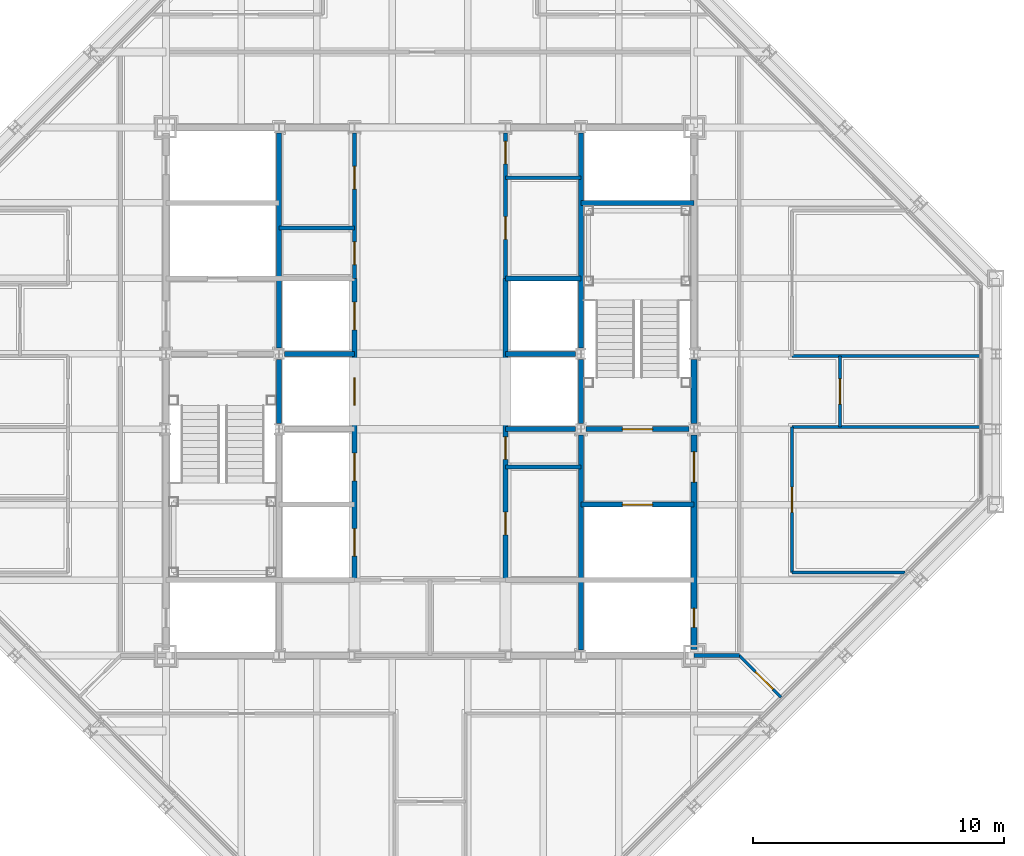
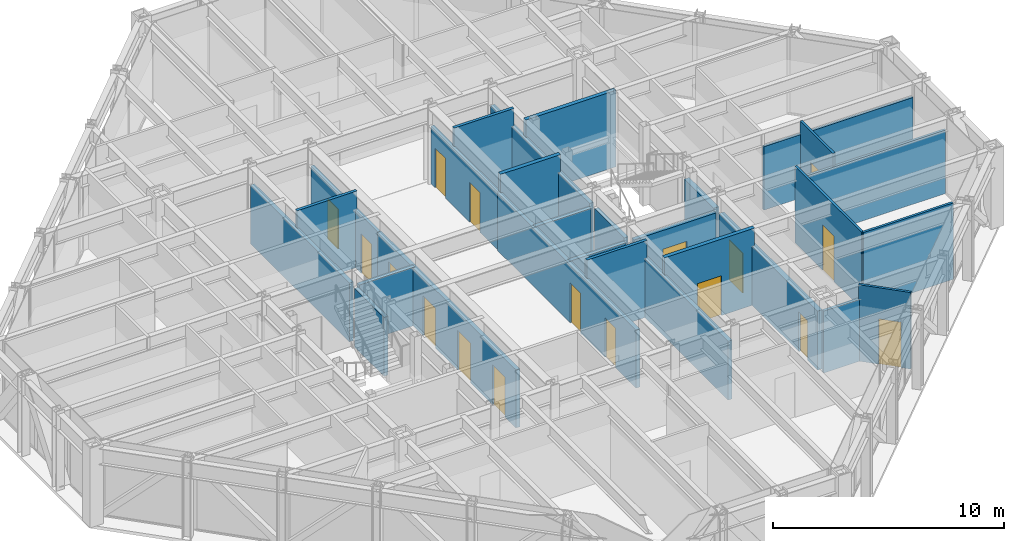
# One storey, part 11 of 15: 28 walls, 17 doors, 17 openings.
"""IFC4 building model written with IfcOpenShell, lengths in metres."""

from ifc_helpers import new_model, si_unit, direction, frame, frame_2d, origin, place, context, subcontext, project, spatial, rectangle, extrude, material, layer, layer_set, type_object, element, fill, save


model = new_model("IFC4")

# Units and contexts
model_context = context("Model", 3, precision=1e-05, world=origin(), true_north=direction((0.0, 1.0)))
body_context = subcontext(model_context, "Body", "Model", "MODEL_VIEW")
ifc_project = project(units=[si_unit("LENGTHUNIT", "METRE"), si_unit("AREAUNIT", "SQUARE_METRE"), si_unit("VOLUMEUNIT", "CUBIC_METRE"), si_unit("PLANEANGLEUNIT", "RADIAN"), si_unit("MASSUNIT", "GRAM", prefix="KILO")], contexts=[model_context])

# Site, building, storey
site_placement = place(None, origin())
site = spatial("IfcSite", under=ifc_project, at=site_placement, CompositionType="ELEMENT")
building_placement = place(site_placement, origin())
building = spatial("IfcBuilding", under=site, at=building_placement, Name="Chuquiago Exchange Tower", CompositionType="ELEMENT")
storey_placement = place(building_placement, frame((0.0, 0.0, 283.199951171875)))
storey = spatial("IfcBuildingStorey", under=building, at=storey_placement, Name="L63", CompositionType="ELEMENT", Elevation=283.199951171875)

# Wall, openings, doors
ifc_material_1 = material(Name="Concrete masonry, fully grouted", Category="masonry")
ifc_layer_1 = layer(ifc_material_1, 0.25)
ifc_layer_set_1 = layer_set([ifc_layer_1], Name="W1 core wall 250")
wall_type_1 = type_object("IfcWallType", Name="W1 core wall 250", PredefinedType="SOLIDWALL", material=ifc_layer_set_1)
wall_1_placement = place(storey_placement, frame((33.0, 12.25, 0.0), z_axis=(0.0, 0.0, 1.0), x_axis=(0.0, 1.0, 0.0)))
wall_1 = element("IfcWall", 1, at=wall_1_placement, inside=storey, type_object=wall_type_1, Name="CW-L63-25-0", PredefinedType="SOLIDWALL", context=body_context, shape_type="SweptSolid", body=[
    extrude(rectangle(XDim=8.527587890625, YDim=0.25, at=frame_2d((4.263671875, 0.0))), origin(), (0.0, 0.0, 1.0), 3.113037109375),
])
opening_1_placement = place(wall_1_placement, frame((6.64990234375, 0.0, 0.0)))
opening_1 = element("IfcOpeningElement", 2, at=opening_1_placement, cuts=wall_1, Name="Opening L63-004", PredefinedType="OPENING", context=body_context, shape_type="SweptSolid", body=[
    extrude(rectangle(XDim=1.199951171875, YDim=2.10009765625, at=frame_2d((0.60009765625, 1.050048828125))), frame((0.0, 0.135009765625, 0.0), z_axis=(0.0, -1.0, 0.0), x_axis=(1.0, 0.0, 0.0)), (0.0, 0.0, 1.0), 0.27001953125),
])
opening_2_placement = place(wall_1_placement, frame((0.875, 0.0, 0.0)))
opening_2 = element("IfcOpeningElement", 3, at=opening_2_placement, cuts=wall_1, Name="Opening L63-009", PredefinedType="OPENING", context=body_context, shape_type="SweptSolid", body=[
    extrude(rectangle(XDim=0.75, YDim=2.10009765625, at=frame_2d((0.375, 1.050048828125))), frame((0.0, 0.135009765625, 0.0), z_axis=(0.0, -1.0, 0.0), x_axis=(1.0, 0.0, 0.0)), (0.0, 0.0, 1.0), 0.27001953125),
])
ifc_material_2 = material(Name="Steel door, painted", Category="steel")
door_type_1 = type_object("IfcDoorType", Name="D5 firefighting lobby door 1200x2100", OperationType="SINGLE_SWING_LEFT", PredefinedType="DOOR", material=ifc_material_2)
door_1_placement = place(opening_1_placement, origin())
door_1 = element("IfcDoor", 4, at=door_1_placement, inside=storey, type_object=door_type_1, Name="Firefighting lobby 2 door", OperationType="SINGLE_SWING_RIGHT", OverallHeight=2.10009765625, OverallWidth=1.199951171875, PredefinedType="DOOR", context=body_context, shape_type="SweptSolid", body=[
    extrude(rectangle(XDim=1.199951171875, YDim=2.10009765625, at=frame_2d((0.60009765625, 1.050048828125))), frame((0.0, 0.02490234375, 0.0), z_axis=(0.0, -1.0, 0.0), x_axis=(1.0, 0.0, 0.0)), (0.0, 0.0, 1.0), 0.050048828125),
])
fill(opening_1, door_1)
ifc_material_3 = material(Name="Steel door, painted", Category="steel")
door_type_2 = type_object("IfcDoorType", Name="D6 riser access door 750x2100", OperationType="SINGLE_SWING_LEFT", PredefinedType="DOOR", material=ifc_material_3)
door_2_placement = place(opening_2_placement, origin())
door_2 = element("IfcDoor", 5, at=door_2_placement, inside=storey, type_object=door_type_2, Name="Riser RE1 door", OperationType="SINGLE_SWING_LEFT", OverallHeight=2.10009765625, OverallWidth=0.75, PredefinedType="DOOR", context=body_context, shape_type="SweptSolid", body=[
    extrude(rectangle(XDim=0.75, YDim=2.10009765625, at=frame_2d((0.375, 1.050048828125))), frame((0.0, 0.02490234375, 0.0), z_axis=(0.0, -1.0, 0.0), x_axis=(1.0, 0.0, 0.0)), (0.0, 0.0, 1.0), 0.050048828125),
])
fill(opening_2, door_2)

# Walls
wall_2_placement = place(storey_placement, frame((33.0, 21.222412109375, 0.0), z_axis=(0.0, 0.0, 1.0), x_axis=(0.0, 1.0, 0.0)))
element("IfcWall", 6, at=wall_2_placement, inside=storey, type_object=wall_type_1, Name="CW-L63-25-1", PredefinedType="SOLIDWALL", context=body_context, shape_type="SweptSolid", body=[
    extrude(rectangle(XDim=2.55517578125, YDim=0.25, at=frame_2d((1.277587890625, 0.0))), origin(), (0.0, 0.0, 1.0), 3.113037109375),
])
ifc_material_4 = material(Name="Gypsum board on steel studs, acoustic insulation", Category="steel")
ifc_layer_2 = layer(ifc_material_4, 0.14990234375)
ifc_layer_set_2 = layer_set([ifc_layer_2], Name="W11 corridor wall 150")
wall_type_2 = type_object("IfcWallType", Name="W11 corridor wall 150", PredefinedType="PARTITIONING", material=ifc_layer_set_2)
wall_3_placement = place(storey_placement, frame((33.0, 12.0, 0.0), z_axis=(0.0, 0.0, 1.0), x_axis=(1.0, 0.0, 0.0)))
element("IfcWall", 7, at=wall_3_placement, inside=storey, type_object=wall_type_2, Name="PW-L63-GES0", PredefinedType="PARTITIONING", context=body_context, shape_type="SweptSolid", body=[
    extrude(rectangle(XDim=1.800048828125, YDim=0.14990234375, at=frame_2d((0.89990234375, 0.0))), origin(), (0.0, 0.0, 1.0), 3.2705078125),
])
ifc_material_5 = material(Name="Concrete masonry, fully grouted", Category="masonry")
ifc_layer_3 = layer(ifc_material_5, 0.199951171875)
ifc_layer_set_3 = layer_set([ifc_layer_3], Name="W2 shaft wall 200")
wall_type_3 = type_object("IfcWallType", Name="W2 shaft wall 200", PredefinedType="SOLIDWALL", material=ifc_layer_set_3)
for number, where, z_axis, x_axis, name in (
    (8, (16.708251953125, 24.0, 0.0), (0.0, 0.0, 1.0), (1.0, 0.0, 0.0), "CW-L63-05-1"),
    (9, (25.5, 24.0, 0.0), (0.0, 0.0, 1.0), (1.0, 0.0, 0.0), "CW-L63-06-0"),
):
    element("IfcWall", number, at=place(storey_placement, frame(where, z_axis=z_axis, x_axis=x_axis)), inside=storey, type_object=wall_type_3, Name=name, PredefinedType="SOLIDWALL", context=body_context, shape_type="SweptSolid", body=[
        extrude(rectangle(XDim=2.791748046875, YDim=0.199951171875, at=frame_2d((1.39599609375, 0.0))), origin(), (0.0, 0.0, 1.0), 3.090087890625),
    ])
wall_4_placement = place(storey_placement, frame((25.5, 27.0, 0.0), z_axis=(0.0, 0.0, 1.0), x_axis=(1.0, 0.0, 0.0)))
element("IfcWall", 10, at=wall_4_placement, inside=storey, type_object=wall_type_3, Name="CW-L63-08-0", PredefinedType="SOLIDWALL", context=body_context, shape_type="SweptSolid", body=[
    extrude(rectangle(XDim=3.0, YDim=0.199951171875, at=frame_2d((1.5, 0.0))), origin(), (0.0, 0.0, 1.0), 4.0400390625),
])
wall_5_placement = place(storey_placement, frame((28.5, 30.0, 0.0), z_axis=(0.0, 0.0, 1.0), x_axis=(1.0, 0.0, 0.0)))
element("IfcWall", 11, at=wall_5_placement, inside=storey, type_object=wall_type_3, Name="CW-L63-10-0", PredefinedType="SOLIDWALL", context=body_context, shape_type="SweptSolid", body=[
    extrude(rectangle(XDim=4.5, YDim=0.199951171875, at=frame_2d((2.25, 0.0))), origin(), (0.0, 0.0, 1.0), 4.0400390625),
])
wall_6_placement = place(storey_placement, frame((16.5, 21.222412109375, 0.0), z_axis=(0.0, 0.0, 1.0), x_axis=(0.0, 1.0, 0.0)))
element("IfcWall", 12, at=wall_6_placement, inside=storey, type_object=wall_type_3, Name="CW-L63-13-1", PredefinedType="SOLIDWALL", context=body_context, shape_type="SweptSolid", body=[
    extrude(rectangle(XDim=2.55517578125, YDim=0.199951171875, at=frame_2d((1.277587890625, 0.0))), origin(), (0.0, 0.0, 1.0), 3.113037109375),
])
wall_7_placement = place(storey_placement, frame((16.5, 24.222412109375, 0.0), z_axis=(0.0, 0.0, 1.0), x_axis=(0.0, 1.0, 0.0)))
element("IfcWall", 13, at=wall_7_placement, inside=storey, type_object=wall_type_3, Name="CW-L63-13-2", PredefinedType="SOLIDWALL", context=body_context, shape_type="SweptSolid", body=[
    extrude(rectangle(XDim=8.55517578125, YDim=0.199951171875, at=frame_2d((4.277587890625, 0.0))), origin(), (0.0, 0.0, 1.0), 3.113037109375),
])

# Wall, opening, door
wall_8_placement = place(storey_placement, frame((28.5, 18.0, 0.0), z_axis=(0.0, 0.0, 1.0), x_axis=(1.0, 0.0, 0.0)))
wall_8 = element("IfcWall", 14, at=wall_8_placement, inside=storey, type_object=wall_type_3, Name="CW-L63-15-0", PredefinedType="SOLIDWALL", context=body_context, shape_type="SweptSolid", body=[
    extrude(rectangle(XDim=4.5, YDim=0.199951171875, at=frame_2d((2.25, 0.0))), origin(), (0.0, 0.0, 1.0), 4.0400390625),
])
opening_3_placement = place(wall_8_placement, frame((1.64990234375, 0.0, 0.0)))
opening_3 = element("IfcOpeningElement", 15, at=opening_3_placement, cuts=wall_8, Name="Opening L63-006", PredefinedType="OPENING", context=body_context, shape_type="SweptSolid", body=[
    extrude(rectangle(XDim=1.199951171875, YDim=2.10009765625, at=frame_2d((0.60009765625, 1.050048828125))), frame((0.0, 0.10986328125, 0.0), z_axis=(0.0, -1.0, 0.0), x_axis=(1.0, 0.0, 0.0)), (0.0, 0.0, 1.0), 0.219970703125),
])
ifc_material_6 = material(Name="Stainless steel lift landing door", Category="steel")
door_type_3 = type_object("IfcDoorType", Name="LD2 firefighting lift landing door 1200x2100", OperationType="DOUBLE_DOOR_SLIDING", PredefinedType="DOOR", material=ifc_material_6)
door_3_placement = place(opening_3_placement, origin())
door_3 = element("IfcDoor", 16, at=door_3_placement, inside=storey, type_object=door_type_3, Name="Firefighting lift FL2 landing door", OperationType="DOUBLE_DOOR_SLIDING", OverallHeight=2.10009765625, OverallWidth=1.199951171875, PredefinedType="DOOR", context=body_context, shape_type="SweptSolid", body=[
    extrude(rectangle(XDim=1.199951171875, YDim=2.10009765625, at=frame_2d((0.60009765625, 1.050048828125))), frame((0.0, 0.02490234375, 0.0), z_axis=(0.0, -1.0, 0.0), x_axis=(1.0, 0.0, 0.0)), (0.0, 0.0, 1.0), 0.050048828125),
])
fill(opening_3, door_3)

# Wall
wall_9_placement = place(storey_placement, frame((25.5, 21.0, 0.0), z_axis=(0.0, 0.0, 1.0), x_axis=(1.0, 0.0, 0.0)))
element("IfcWall", 17, at=wall_9_placement, inside=storey, type_object=wall_type_3, Name="CW-L63-17-0", PredefinedType="SOLIDWALL", context=body_context, shape_type="SweptSolid", body=[
    extrude(rectangle(XDim=2.791748046875, YDim=0.199951171875, at=frame_2d((1.39599609375, 0.0))), origin(), (0.0, 0.0, 1.0), 3.090087890625),
])

# Wall, opening, door
wall_10_placement = place(storey_placement, frame((28.708251953125, 21.0, 0.0), z_axis=(0.0, 0.0, 1.0), x_axis=(1.0, 0.0, 0.0)))
wall_10 = element("IfcWall", 18, at=wall_10_placement, inside=storey, type_object=wall_type_3, Name="CW-L63-17-1", PredefinedType="SOLIDWALL", context=body_context, shape_type="SweptSolid", body=[
    extrude(rectangle(XDim=4.08349609375, YDim=0.199951171875, at=frame_2d((2.041748046875, 0.0))), origin(), (0.0, 0.0, 1.0), 3.090087890625),
])
opening_4_placement = place(wall_10_placement, frame((1.441650390625, 0.0, 0.0)))
opening_4 = element("IfcOpeningElement", 19, at=opening_4_placement, cuts=wall_10, Name="Opening L63-003", PredefinedType="OPENING", context=body_context, shape_type="SweptSolid", body=[
    extrude(rectangle(XDim=1.199951171875, YDim=2.10009765625, at=frame_2d((0.60009765625, 1.050048828125))), frame((0.0, 0.10986328125, 0.0), z_axis=(0.0, -1.0, 0.0), x_axis=(1.0, 0.0, 0.0)), (0.0, 0.0, 1.0), 0.219970703125),
])
ifc_material_7 = material(Name="Steel door, painted", Category="steel")
door_type_4 = type_object("IfcDoorType", Name="D4 stair door 1200x2100", OperationType="SINGLE_SWING_LEFT", PredefinedType="DOOR", material=ifc_material_7)
door_4_placement = place(opening_4_placement, origin())
door_4 = element("IfcDoor", 20, at=door_4_placement, inside=storey, type_object=door_type_4, Name="Stair ST2 door", OperationType="SINGLE_SWING_RIGHT", OverallHeight=2.10009765625, OverallWidth=1.199951171875, PredefinedType="DOOR", context=body_context, shape_type="SweptSolid", body=[
    extrude(rectangle(XDim=1.199951171875, YDim=2.10009765625, at=frame_2d((0.60009765625, 1.050048828125))), frame((0.0, 0.02490234375, 0.0), z_axis=(0.0, -1.0, 0.0), x_axis=(1.0, 0.0, 0.0)), (0.0, 0.0, 1.0), 0.050048828125),
])
fill(opening_4, door_4)

# Wall, openings, doors
wall_11_placement = place(storey_placement, frame((19.5, 15.0, 0.0), z_axis=(0.0, 0.0, 1.0), x_axis=(0.0, 1.0, 0.0)))
wall_11 = element("IfcWall", 21, at=wall_11_placement, inside=storey, type_object=wall_type_3, Name="CW-L63-19-0", PredefinedType="SOLIDWALL", context=body_context, shape_type="SweptSolid", body=[
    extrude(rectangle(XDim=12.0, YDim=0.199951171875, at=frame_2d((6.0, 0.0))), origin(), (0.0, 0.0, 1.0), 3.064697265625),
])
opening_5_placement = place(wall_11_placement, frame((0.949951171875, 0.0, 0.0)))
opening_5 = element("IfcOpeningElement", 22, at=opening_5_placement, cuts=wall_11, Name="Opening L63-019", PredefinedType="OPENING", context=body_context, shape_type="SweptSolid", body=[
    extrude(rectangle(XDim=1.10009765625, YDim=2.10009765625, at=frame_2d((0.550048828125, 1.050048828125))), frame((0.0, 0.10986328125, 0.0), z_axis=(0.0, -1.0, 0.0), x_axis=(1.0, 0.0, 0.0)), (0.0, 0.0, 1.0), 0.219970703125),
])
opening_6_placement = place(wall_11_placement, frame((3.949951171875, 0.0, 0.0)))
opening_6 = element("IfcOpeningElement", 23, at=opening_6_placement, cuts=wall_11, Name="Opening L63-020", PredefinedType="OPENING", context=body_context, shape_type="SweptSolid", body=[
    extrude(rectangle(XDim=1.10009765625, YDim=2.10009765625, at=frame_2d((0.550048828125, 1.050048828125))), frame((0.0, 0.10986328125, 0.0), z_axis=(0.0, -1.0, 0.0), x_axis=(1.0, 0.0, 0.0)), (0.0, 0.0, 1.0), 0.219970703125),
])
opening_7_placement = place(wall_11_placement, frame((6.949951171875, 0.0, 0.0)))
opening_7 = element("IfcOpeningElement", 24, at=opening_7_placement, cuts=wall_11, Name="Opening L63-021", PredefinedType="OPENING", context=body_context, shape_type="SweptSolid", body=[
    extrude(rectangle(XDim=1.10009765625, YDim=2.10009765625, at=frame_2d((0.550048828125, 1.050048828125))), frame((0.0, 0.10986328125, 0.0), z_axis=(0.0, -1.0, 0.0), x_axis=(1.0, 0.0, 0.0)), (0.0, 0.0, 1.0), 0.219970703125),
])
opening_8_placement = place(wall_11_placement, frame((9.949951171875, 0.0, 0.0)))
opening_8 = element("IfcOpeningElement", 25, at=opening_8_placement, cuts=wall_11, Name="Opening L63-022", PredefinedType="OPENING", context=body_context, shape_type="SweptSolid", body=[
    extrude(rectangle(XDim=1.10009765625, YDim=2.10009765625, at=frame_2d((0.550048828125, 1.050048828125))), frame((0.0, 0.10986328125, 0.0), z_axis=(0.0, -1.0, 0.0), x_axis=(1.0, 0.0, 0.0)), (0.0, 0.0, 1.0), 0.219970703125),
])
ifc_material_8 = material(Name="Stainless steel lift landing door", Category="steel")
door_type_5 = type_object("IfcDoorType", Name="LD1 lift landing door 1100x2100", OperationType="DOUBLE_DOOR_SLIDING", PredefinedType="DOOR", material=ifc_material_8)
door_5_placement = place(opening_5_placement, origin())
door_5 = element("IfcDoor", 26, at=door_5_placement, inside=storey, type_object=door_type_5, Name="Lift LD1 landing door", OperationType="DOUBLE_DOOR_SLIDING", OverallHeight=2.10009765625, OverallWidth=1.10009765625, PredefinedType="DOOR", context=body_context, shape_type="SweptSolid", body=[
    extrude(rectangle(XDim=1.10009765625, YDim=2.10009765625, at=frame_2d((0.550048828125, 1.050048828125))), frame((0.0, 0.02490234375, 0.0), z_axis=(0.0, -1.0, 0.0), x_axis=(1.0, 0.0, 0.0)), (0.0, 0.0, 1.0), 0.050048828125),
])
fill(opening_5, door_5)
door_6_placement = place(opening_6_placement, origin())
door_6 = element("IfcDoor", 27, at=door_6_placement, inside=storey, type_object=door_type_5, Name="Lift LD2 landing door", OperationType="DOUBLE_DOOR_SLIDING", OverallHeight=2.10009765625, OverallWidth=1.10009765625, PredefinedType="DOOR", context=body_context, shape_type="SweptSolid", body=[
    extrude(rectangle(XDim=1.10009765625, YDim=2.10009765625, at=frame_2d((0.550048828125, 1.050048828125))), frame((0.0, 0.02490234375, 0.0), z_axis=(0.0, -1.0, 0.0), x_axis=(1.0, 0.0, 0.0)), (0.0, 0.0, 1.0), 0.050048828125),
])
fill(opening_6, door_6)
door_7_placement = place(opening_7_placement, origin())
door_7 = element("IfcDoor", 28, at=door_7_placement, inside=storey, type_object=door_type_5, Name="Lift LD3 landing door", OperationType="DOUBLE_DOOR_SLIDING", OverallHeight=2.10009765625, OverallWidth=1.10009765625, PredefinedType="DOOR", context=body_context, shape_type="SweptSolid", body=[
    extrude(rectangle(XDim=1.10009765625, YDim=2.10009765625, at=frame_2d((0.550048828125, 1.050048828125))), frame((0.0, 0.02490234375, 0.0), z_axis=(0.0, -1.0, 0.0), x_axis=(1.0, 0.0, 0.0)), (0.0, 0.0, 1.0), 0.050048828125),
])
fill(opening_7, door_7)
door_8_placement = place(opening_8_placement, origin())
door_8 = element("IfcDoor", 29, at=door_8_placement, inside=storey, type_object=door_type_5, Name="Lift LD4 landing door", OperationType="DOUBLE_DOOR_SLIDING", OverallHeight=2.10009765625, OverallWidth=1.10009765625, PredefinedType="DOOR", context=body_context, shape_type="SweptSolid", body=[
    extrude(rectangle(XDim=1.10009765625, YDim=2.10009765625, at=frame_2d((0.550048828125, 1.050048828125))), frame((0.0, 0.02490234375, 0.0), z_axis=(0.0, -1.0, 0.0), x_axis=(1.0, 0.0, 0.0)), (0.0, 0.0, 1.0), 0.050048828125),
])
fill(opening_8, door_8)

wall_12_placement = place(storey_placement, frame((25.5, 15.0, 0.0), z_axis=(0.0, 0.0, 1.0), x_axis=(0.0, 1.0, 0.0)))
wall_12 = element("IfcWall", 30, at=wall_12_placement, inside=storey, type_object=wall_type_3, Name="CW-L63-22-0", PredefinedType="SOLIDWALL", context=body_context, shape_type="SweptSolid", body=[
    extrude(rectangle(XDim=12.0, YDim=0.199951171875, at=frame_2d((6.0, 0.0))), origin(), (0.0, 0.0, 1.0), 3.064697265625),
])
opening_9_placement = place(wall_12_placement, frame((1.800048828125, 0.0, 0.0)))
opening_9 = element("IfcOpeningElement", 31, at=opening_9_placement, cuts=wall_12, Name="Opening L63-016", PredefinedType="OPENING", context=body_context, shape_type="SweptSolid", body=[
    extrude(rectangle(XDim=0.89990234375, YDim=2.10009765625, at=frame_2d((0.449951171875, 1.050048828125))), frame((0.0, 0.10986328125, 0.0), z_axis=(0.0, -1.0, 0.0), x_axis=(1.0, 0.0, 0.0)), (0.0, 0.0, 1.0), 0.219970703125),
])
opening_10_placement = place(wall_12_placement, frame((4.800048828125, 0.0, 0.0)))
opening_10 = element("IfcOpeningElement", 32, at=opening_10_placement, cuts=wall_12, Name="Opening L63-017", PredefinedType="OPENING", context=body_context, shape_type="SweptSolid", body=[
    extrude(rectangle(XDim=0.89990234375, YDim=2.10009765625, at=frame_2d((0.449951171875, 1.050048828125))), frame((0.0, 0.10986328125, 0.0), z_axis=(0.0, -1.0, 0.0), x_axis=(1.0, 0.0, 0.0)), (0.0, 0.0, 1.0), 0.219970703125),
])
ifc_material_9 = material(Name="Timber door, laminate faced", Category="wood")
door_type_6 = type_object("IfcDoorType", Name="D16 core room door 900x2100", OperationType="SINGLE_SWING_LEFT", PredefinedType="DOOR", material=ifc_material_9)
door_9_placement = place(opening_9_placement, frame((0.89990234375, 0.0, 0.0), z_axis=(0.0, 0.0, 1.0), x_axis=(-1.0, 0.0, 0.0)))
door_9 = element("IfcDoor", 33, at=door_9_placement, inside=storey, type_object=door_type_6, Name="Catering store door", OperationType="SINGLE_SWING_RIGHT", OverallHeight=2.10009765625, OverallWidth=0.89990234375, PredefinedType="DOOR", context=body_context, shape_type="SweptSolid", body=[
    extrude(rectangle(XDim=0.89990234375, YDim=2.10009765625, at=frame_2d((0.449951171875, 1.050048828125))), frame((0.0, 0.02490234375, 0.0), z_axis=(0.0, -1.0, 0.0), x_axis=(1.0, 0.0, 0.0)), (0.0, 0.0, 1.0), 0.050048828125),
])
fill(opening_9, door_9)
door_10_placement = place(opening_10_placement, frame((0.89990234375, 0.0, 0.0), z_axis=(0.0, 0.0, 1.0), x_axis=(-1.0, 0.0, 0.0)))
door_10 = element("IfcDoor", 34, at=door_10_placement, inside=storey, type_object=door_type_6, Name="Conference servery door", OperationType="SINGLE_SWING_LEFT", OverallHeight=2.10009765625, OverallWidth=0.89990234375, PredefinedType="DOOR", context=body_context, shape_type="SweptSolid", body=[
    extrude(rectangle(XDim=0.89990234375, YDim=2.10009765625, at=frame_2d((0.449951171875, 1.050048828125))), frame((0.0, 0.02490234375, 0.0), z_axis=(0.0, -1.0, 0.0), x_axis=(1.0, 0.0, 0.0)), (0.0, 0.0, 1.0), 0.050048828125),
])
fill(opening_10, door_10)

# Walls
wall_13_placement = place(storey_placement, frame((28.5, 12.222412109375, 0.0), z_axis=(0.0, 0.0, 1.0), x_axis=(0.0, 1.0, 0.0)))
element("IfcWall", 35, at=wall_13_placement, inside=storey, type_object=wall_type_3, Name="CW-L63-24-0", PredefinedType="SOLIDWALL", context=body_context, shape_type="SweptSolid", body=[
    extrude(rectangle(XDim=8.55517578125, YDim=0.199951171875, at=frame_2d((4.277587890625, 0.0))), origin(), (0.0, 0.0, 1.0), 3.113037109375),
])
wall_14_placement = place(storey_placement, frame((28.5, 21.222412109375, 0.0), z_axis=(0.0, 0.0, 1.0), x_axis=(0.0, 1.0, 0.0)))
element("IfcWall", 36, at=wall_14_placement, inside=storey, type_object=wall_type_3, Name="CW-L63-24-1", PredefinedType="SOLIDWALL", context=body_context, shape_type="SweptSolid", body=[
    extrude(rectangle(XDim=2.55517578125, YDim=0.199951171875, at=frame_2d((1.277587890625, 0.0))), origin(), (0.0, 0.0, 1.0), 3.113037109375),
])
wall_15_placement = place(storey_placement, frame((28.5, 24.222412109375, 0.0), z_axis=(0.0, 0.0, 1.0), x_axis=(0.0, 1.0, 0.0)))
element("IfcWall", 37, at=wall_15_placement, inside=storey, type_object=wall_type_3, Name="CW-L63-24-2", PredefinedType="SOLIDWALL", context=body_context, shape_type="SweptSolid", body=[
    extrude(rectangle(XDim=8.55517578125, YDim=0.199951171875, at=frame_2d((4.277587890625, 0.0))), origin(), (0.0, 0.0, 1.0), 3.113037109375),
])

# Wall, openings, doors
ifc_material_10 = material(Name="Gypsum board on steel studs", Category="steel")
ifc_layer_4 = layer(ifc_material_10, 0.14990234375)
ifc_layer_set_4 = layer_set([ifc_layer_4], Name="W3 core partition 150")
wall_type_4 = type_object("IfcWallType", Name="W3 core partition 150", PredefinedType="PARTITIONING", material=ifc_layer_set_4)
wall_16_placement = place(storey_placement, frame((19.5, 27.0, 0.0), z_axis=(0.0, 0.0, 1.0), x_axis=(0.0, 1.0, 0.0)))
wall_16 = element("IfcWall", 38, at=wall_16_placement, inside=storey, type_object=wall_type_4, Name="CW-L63-20-0", PredefinedType="PARTITIONING", context=body_context, shape_type="SweptSolid", body=[
    extrude(rectangle(XDim=5.777587890625, YDim=0.14990234375, at=frame_2d((2.888671875, 0.0))), origin(), (0.0, 0.0, 1.0), 3.064697265625),
])
opening_11_placement = place(wall_16_placement, frame((0.550048828125, 0.0, 0.0)))
opening_11 = element("IfcOpeningElement", 39, at=opening_11_placement, cuts=wall_16, Name="Opening L63-011", PredefinedType="OPENING", context=body_context, shape_type="SweptSolid", body=[
    extrude(rectangle(XDim=0.89990234375, YDim=2.10009765625, at=frame_2d((0.449951171875, 1.050048828125))), frame((0.0, 0.0849609375, 0.0), z_axis=(0.0, -1.0, 0.0), x_axis=(1.0, 0.0, 0.0)), (0.0, 0.0, 1.0), 0.169921875),
])
opening_12_placement = place(wall_16_placement, frame((3.550048828125, 0.0, 0.0)))
opening_12 = element("IfcOpeningElement", 40, at=opening_12_placement, cuts=wall_16, Name="Opening L63-012", PredefinedType="OPENING", context=body_context, shape_type="SweptSolid", body=[
    extrude(rectangle(XDim=0.89990234375, YDim=2.10009765625, at=frame_2d((0.449951171875, 1.050048828125))), frame((0.0, 0.0849609375, 0.0), z_axis=(0.0, -1.0, 0.0), x_axis=(1.0, 0.0, 0.0)), (0.0, 0.0, 1.0), 0.169921875),
])
door_11_placement = place(opening_11_placement, origin())
door_11 = element("IfcDoor", 41, at=door_11_placement, inside=storey, type_object=door_type_6, Name="First aid room door", OperationType="SINGLE_SWING_LEFT", OverallHeight=2.10009765625, OverallWidth=0.89990234375, PredefinedType="DOOR", context=body_context, shape_type="SweptSolid", body=[
    extrude(rectangle(XDim=0.89990234375, YDim=2.10009765625, at=frame_2d((0.449951171875, 1.050048828125))), frame((0.0, 0.02490234375, 0.0), z_axis=(0.0, -1.0, 0.0), x_axis=(1.0, 0.0, 0.0)), (0.0, 0.0, 1.0), 0.050048828125),
])
fill(opening_11, door_11)
ifc_material_11 = material(Name="Timber door, laminate faced", Category="wood")
door_type_7 = type_object("IfcDoorType", Name="D7 toilet door 900x2100", OperationType="SINGLE_SWING_LEFT", PredefinedType="DOOR", material=ifc_material_11)
door_12_placement = place(opening_12_placement, origin())
door_12 = element("IfcDoor", 42, at=door_12_placement, inside=storey, type_object=door_type_7, Name="Male WC door", OperationType="SINGLE_SWING_RIGHT", OverallHeight=2.10009765625, OverallWidth=0.89990234375, PredefinedType="DOOR", context=body_context, shape_type="SweptSolid", body=[
    extrude(rectangle(XDim=0.89990234375, YDim=2.10009765625, at=frame_2d((0.449951171875, 1.050048828125))), frame((0.0, 0.02490234375, 0.0), z_axis=(0.0, -1.0, 0.0), x_axis=(1.0, 0.0, 0.0)), (0.0, 0.0, 1.0), 0.050048828125),
])
fill(opening_12, door_12)

wall_17_placement = place(storey_placement, frame((25.5, 27.0, 0.0), z_axis=(0.0, 0.0, 1.0), x_axis=(0.0, 1.0, 0.0)))
wall_17 = element("IfcWall", 43, at=wall_17_placement, inside=storey, type_object=wall_type_4, Name="CW-L63-23-0", PredefinedType="PARTITIONING", context=body_context, shape_type="SweptSolid", body=[
    extrude(rectangle(XDim=5.777587890625, YDim=0.14990234375, at=frame_2d((2.888671875, 0.0))), origin(), (0.0, 0.0, 1.0), 3.064697265625),
])
opening_13_placement = place(wall_17_placement, frame((1.550048828125, 0.0, 0.0)))
opening_13 = element("IfcOpeningElement", 44, at=opening_13_placement, cuts=wall_17, Name="Opening L63-013", PredefinedType="OPENING", context=body_context, shape_type="SweptSolid", body=[
    extrude(rectangle(XDim=0.89990234375, YDim=2.10009765625, at=frame_2d((0.449951171875, 1.050048828125))), frame((0.0, 0.0849609375, 0.0), z_axis=(0.0, -1.0, 0.0), x_axis=(1.0, 0.0, 0.0)), (0.0, 0.0, 1.0), 0.169921875),
])
opening_14_placement = place(wall_17_placement, frame((4.550048828125, 0.0, 0.0)))
opening_14 = element("IfcOpeningElement", 45, at=opening_14_placement, cuts=wall_17, Name="Opening L63-014", PredefinedType="OPENING", context=body_context, shape_type="SweptSolid", body=[
    extrude(rectangle(XDim=0.89990234375, YDim=2.10009765625, at=frame_2d((0.449951171875, 1.050048828125))), frame((0.0, 0.0849609375, 0.0), z_axis=(0.0, -1.0, 0.0), x_axis=(1.0, 0.0, 0.0)), (0.0, 0.0, 1.0), 0.169921875),
])
door_13_placement = place(opening_14_placement, frame((0.89990234375, 0.0, 0.0), z_axis=(0.0, 0.0, 1.0), x_axis=(-1.0, 0.0, 0.0)))
door_13 = element("IfcDoor", 46, at=door_13_placement, inside=storey, type_object=door_type_6, Name="Staff shower room door", OperationType="SINGLE_SWING_LEFT", OverallHeight=2.10009765625, OverallWidth=0.89990234375, PredefinedType="DOOR", context=body_context, shape_type="SweptSolid", body=[
    extrude(rectangle(XDim=0.89990234375, YDim=2.10009765625, at=frame_2d((0.449951171875, 1.050048828125))), frame((0.0, 0.02490234375, 0.0), z_axis=(0.0, -1.0, 0.0), x_axis=(1.0, 0.0, 0.0)), (0.0, 0.0, 1.0), 0.050048828125),
])
fill(opening_14, door_13)
door_14_placement = place(opening_13_placement, frame((0.89990234375, 0.0, 0.0), z_axis=(0.0, 0.0, 1.0), x_axis=(-1.0, 0.0, 0.0)))
door_14 = element("IfcDoor", 47, at=door_14_placement, inside=storey, type_object=door_type_7, Name="Female WC door", OperationType="SINGLE_SWING_RIGHT", OverallHeight=2.10009765625, OverallWidth=0.89990234375, PredefinedType="DOOR", context=body_context, shape_type="SweptSolid", body=[
    extrude(rectangle(XDim=0.89990234375, YDim=2.10009765625, at=frame_2d((0.449951171875, 1.050048828125))), frame((0.0, 0.02490234375, 0.0), z_axis=(0.0, -1.0, 0.0), x_axis=(1.0, 0.0, 0.0)), (0.0, 0.0, 1.0), 0.050048828125),
])
fill(opening_13, door_14)

# Walls
for number, where, z_axis, x_axis, name in (
    (48, (16.5, 29.0, 0.0), (0.0, 0.0, 1.0), (1.0, 0.0, 0.0), "CW-L63-WCMS"),
    (49, (25.5, 31.0, 0.0), (0.0, 0.0, 1.0), (1.0, 0.0, 0.0), "CW-L63-WCFS"),
    (50, (25.5, 19.5, 0.0), (0.0, 0.0, 1.0), (1.0, 0.0, 0.0), "CW-L63-EBR1-N"),
):
    element("IfcWall", number, at=place(storey_placement, frame(where, z_axis=z_axis, x_axis=x_axis)), inside=storey, type_object=wall_type_4, Name=name, PredefinedType="PARTITIONING", context=body_context, shape_type="SweptSolid", body=[
        extrude(rectangle(XDim=3.0, YDim=0.14990234375, at=frame_2d((1.5, 0.0))), origin(), (0.0, 0.0, 1.0), 4.0400390625),
    ])
ifc_material_12 = material(Name="Gypsum board on steel studs", Category="steel")
ifc_layer_5 = layer(ifc_material_12, 0.1201171875)
ifc_layer_set_5 = layer_set([ifc_layer_5], Name="W4 partition 120")
wall_type_5 = type_object("IfcWallType", Name="W4 partition 120", PredefinedType="PARTITIONING", material=ifc_layer_set_5)
wall_18_placement = place(storey_placement, frame((41.392578125, 15.30712890625, 0.0), z_axis=(0.0, 0.0, 1.0), x_axis=(-1.0, 0.0, 0.0)))
element("IfcWall", 51, at=wall_18_placement, inside=storey, type_object=wall_type_5, Name="PW-L63-E01531", PredefinedType="PARTITIONING", context=body_context, shape_type="SweptSolid", body=[
    extrude(rectangle(XDim=4.49267578125, YDim=0.1201171875, at=frame_2d((2.246337890625, 0.0))), origin(), (0.0, 0.0, 1.0), 4.0400390625),
])
for number, where, z_axis, x_axis, name in (
    (52, (44.347412109375, 21.082763671875, 0.0), (0.0, 0.0, 1.0), (-1.0, 0.0, 0.0), "PW-L63-E02108"),
    (53, (44.347412109375, 23.917236328125, 0.0), (0.0, 0.0, 1.0), (-1.0, 0.0, 0.0), "PW-L63-E02392"),
):
    element("IfcWall", number, at=place(storey_placement, frame(where, z_axis=z_axis, x_axis=x_axis)), inside=storey, type_object=wall_type_5, Name=name, PredefinedType="PARTITIONING", context=body_context, shape_type="SweptSolid", body=[
        extrude(rectangle(XDim=7.447509765625, YDim=0.1201171875, at=frame_2d((3.7236328125, 0.0))), origin(), (0.0, 0.0, 1.0), 3.35693359375),
    ])

# Wall, opening, door
wall_19_placement = place(storey_placement, frame((36.89990234375, 15.30712890625, 0.0), z_axis=(0.0, 0.0, 1.0), x_axis=(0.0, 1.0, 0.0)))
wall_19 = element("IfcWall", 54, at=wall_19_placement, inside=storey, type_object=wall_type_5, Name="PW-L63-EF01531", PredefinedType="PARTITIONING", context=body_context, shape_type="SweptSolid", body=[
    extrude(rectangle(XDim=5.775634765625, YDim=0.1201171875, at=frame_2d((2.8876953125, 0.0))), origin(), (0.0, 0.0, 1.0), 4.0400390625),
])
opening_15_placement = place(wall_19_placement, frame((2.3876953125, 0.0, 0.0)))
opening_15 = element("IfcOpeningElement", 55, at=opening_15_placement, cuts=wall_19, Name="Opening L63-026", PredefinedType="OPENING", context=body_context, shape_type="SweptSolid", body=[
    extrude(rectangle(XDim=1.0, YDim=2.39990234375, at=frame_2d((0.5, 1.199951171875))), frame((0.0, 0.070068359375, 0.0), z_axis=(0.0, -1.0, 0.0), x_axis=(1.0, 0.0, 0.0)), (0.0, 0.0, 1.0), 0.14013671875),
])
ifc_material_13 = material(Name="Timber door, laminate faced", Category="wood")
door_type_8 = type_object("IfcDoorType", Name="D9 room door 1000x2400", OperationType="SINGLE_SWING_LEFT", PredefinedType="DOOR", material=ifc_material_13)
door_15_placement = place(opening_15_placement, frame((1.0, 0.0, 0.0), z_axis=(0.0, 0.0, 1.0), x_axis=(-1.0, 0.0, 0.0)))
door_15 = element("IfcDoor", 56, at=door_15_placement, inside=storey, type_object=door_type_8, Name="Office door", OperationType="SINGLE_SWING_RIGHT", OverallHeight=2.39990234375, OverallWidth=1.0, PredefinedType="DOOR", context=body_context, shape_type="SweptSolid", body=[
    extrude(rectangle(XDim=1.0, YDim=2.39990234375, at=frame_2d((0.5, 1.199951171875))), frame((0.0, 0.02490234375, 0.0), z_axis=(0.0, -1.0, 0.0), x_axis=(1.0, 0.0, 0.0)), (0.0, 0.0, 1.0), 0.050048828125),
])
fill(opening_15, door_15)

wall_20_placement = place(storey_placement, frame((38.800048828125, 21.082763671875, 0.0), z_axis=(0.0, 0.0, 1.0), x_axis=(0.0, 1.0, 0.0)))
wall_20 = element("IfcWall", 57, at=wall_20_placement, inside=storey, type_object=wall_type_5, Name="PW-L63-EF02108", PredefinedType="PARTITIONING", context=body_context, shape_type="SweptSolid", body=[
    extrude(rectangle(XDim=2.83447265625, YDim=0.1201171875, at=frame_2d((1.417236328125, 0.0))), origin(), (0.0, 0.0, 1.0), 4.0400390625),
])
opening_16_placement = place(wall_20_placement, frame((0.917236328125, 0.0, 0.0)))
opening_16 = element("IfcOpeningElement", 58, at=opening_16_placement, cuts=wall_20, Name="Opening L63-027", PredefinedType="OPENING", context=body_context, shape_type="SweptSolid", body=[
    extrude(rectangle(XDim=1.0, YDim=2.39990234375, at=frame_2d((0.5, 1.199951171875))), frame((0.0, 0.070068359375, 0.0), z_axis=(0.0, -1.0, 0.0), x_axis=(1.0, 0.0, 0.0)), (0.0, 0.0, 1.0), 0.14013671875),
])
door_16_placement = place(opening_16_placement, frame((1.0, 0.0, 0.0), z_axis=(0.0, 0.0, 1.0), x_axis=(-1.0, 0.0, 0.0)))
door_16 = element("IfcDoor", 59, at=door_16_placement, inside=storey, type_object=door_type_8, Name="Pantry door", OperationType="SINGLE_SWING_RIGHT", OverallHeight=2.39990234375, OverallWidth=1.0, PredefinedType="DOOR", context=body_context, shape_type="SweptSolid", body=[
    extrude(rectangle(XDim=1.0, YDim=2.39990234375, at=frame_2d((0.5, 1.199951171875))), frame((0.0, 0.02490234375, 0.0), z_axis=(0.0, -1.0, 0.0), x_axis=(1.0, 0.0, 0.0)), (0.0, 0.0, 1.0), 0.050048828125),
])
fill(opening_16, door_16)

wall_21_placement = place(storey_placement, frame((34.800048828125, 12.0, 0.0), z_axis=(0.0, 0.0, 1.0), x_axis=(0.707106781187, -0.707106781187, 0.0)))
wall_21 = element("IfcWall", 60, at=wall_21_placement, inside=storey, type_object=wall_type_5, Name="PW-L63-QSE", PredefinedType="PARTITIONING", context=body_context, shape_type="SweptSolid", body=[
    extrude(rectangle(XDim=2.337890625, YDim=0.1201171875, at=frame_2d((1.1689453125, 0.0))), origin(), (0.0, 0.0, 1.0), 4.0400390625),
])
opening_17_placement = place(wall_21_placement, frame((0.89990234375, 0.0, 0.0)))
opening_17 = element("IfcOpeningElement", 61, at=opening_17_placement, cuts=wall_21, Name="Opening L63-043", PredefinedType="OPENING", context=body_context, shape_type="SweptSolid", body=[
    extrude(rectangle(XDim=1.0, YDim=2.39990234375, at=frame_2d((0.5, 1.199951171875))), frame((0.0, 0.070068359375, 0.0), z_axis=(0.0, -1.0, 0.0), x_axis=(1.0, 0.0, 0.0)), (0.0, 0.0, 1.0), 0.14013671875),
])
door_17_placement = place(opening_17_placement, frame((1.0, 0.0, 0.0), z_axis=(0.0, 0.0, 1.0), x_axis=(-1.0, 0.0, 0.0)))
door_17 = element("IfcDoor", 62, at=door_17_placement, inside=storey, type_object=door_type_8, Name="Team area door", OperationType="SINGLE_SWING_LEFT", OverallHeight=2.39990234375, OverallWidth=1.0, PredefinedType="DOOR", context=body_context, shape_type="SweptSolid", body=[
    extrude(rectangle(XDim=1.0, YDim=2.39990234375, at=frame_2d((0.5, 1.199951171875))), frame((0.0, 0.02490234375, 0.0), z_axis=(0.0, -1.0, 0.0), x_axis=(1.0, 0.0, 0.0)), (0.0, 0.0, 1.0), 0.050048828125),
])
fill(opening_17, door_17)

save(model, "model.ifc")
